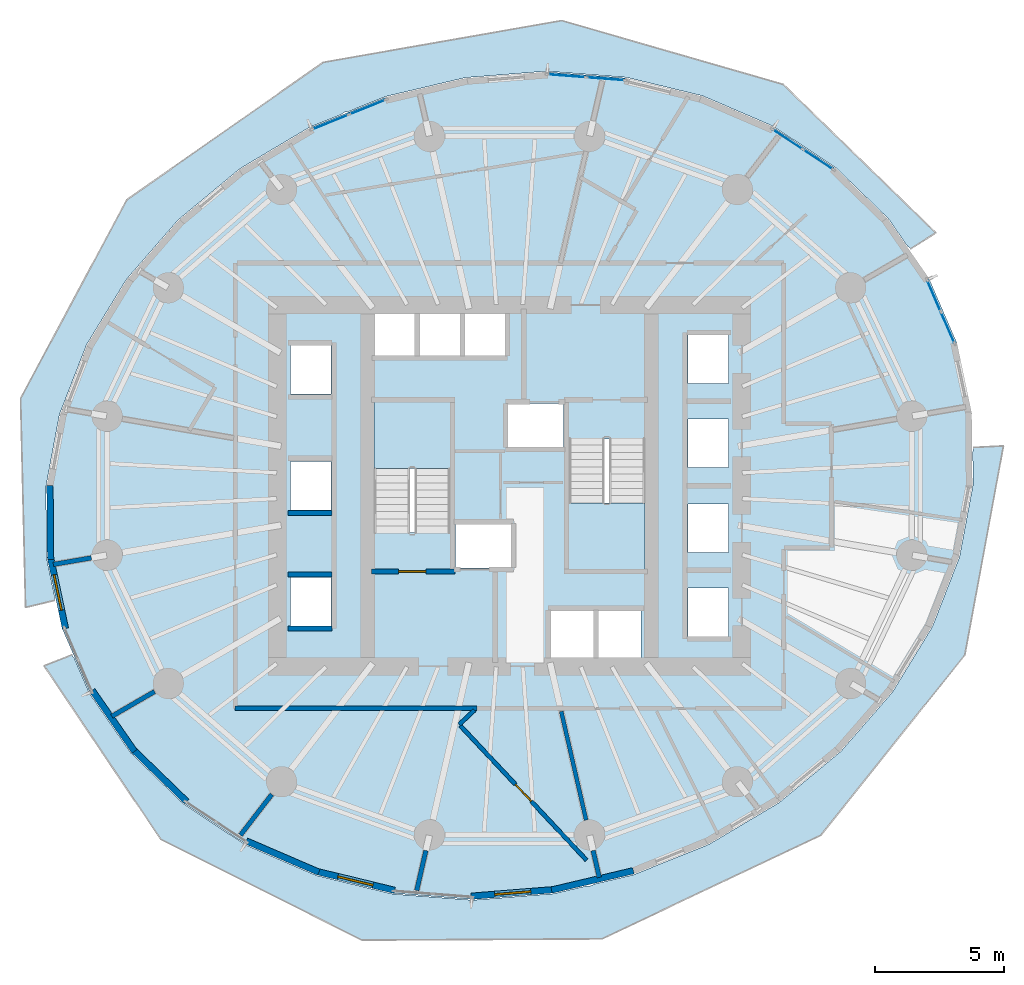
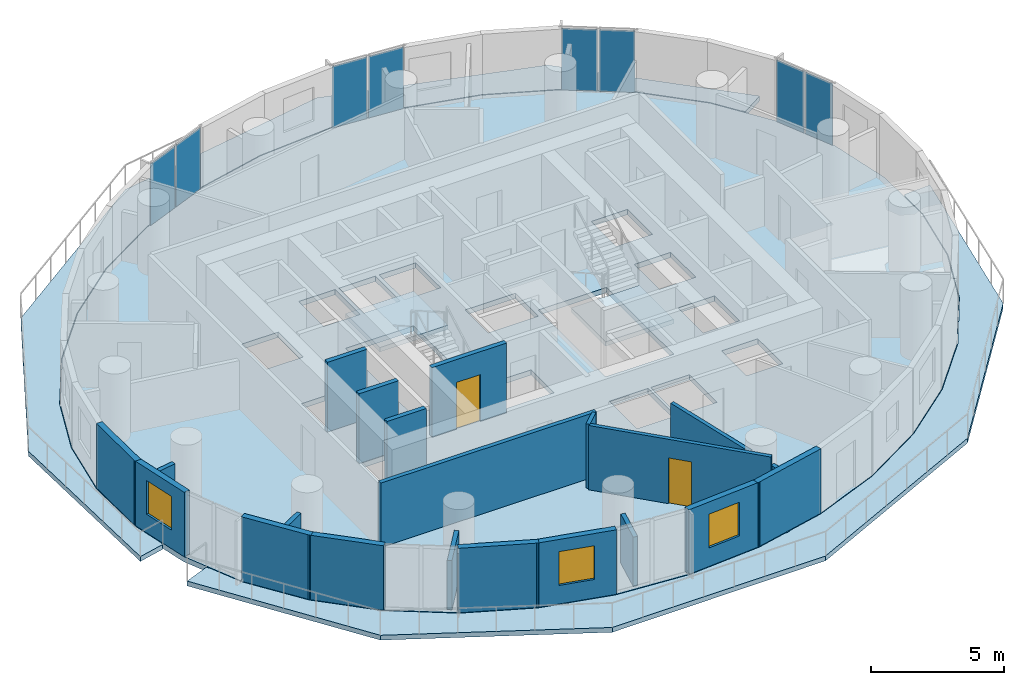
# One storey, part 6 of 14: 21 walls, 8 plates, 5 slabs, 3 windows, 2 doors, 5 openings, 6 elements without a shape of their own.
"""IFC4 building model written with IfcOpenShell, lengths in metres."""

from ifc_helpers import new_model, si_unit, direction, frame, frame_2d, origin, origin_2d, place, context, subcontext, project, spatial, polyline, rectangle, outline, extrude, material, layer, layer_set, type_object, element, fill, aggregate, save


model = new_model("IFC4")

# Units and contexts
model_context = context("Model", 3, precision=1e-05, world=origin(), true_north=direction((0.0, 1.0)))
body_context = subcontext(model_context, "Body", "Model", "MODEL_VIEW")
ifc_project = project(units=[si_unit("LENGTHUNIT", "METRE"), si_unit("AREAUNIT", "SQUARE_METRE"), si_unit("VOLUMEUNIT", "CUBIC_METRE"), si_unit("PLANEANGLEUNIT", "RADIAN"), si_unit("MASSUNIT", "GRAM", prefix="KILO")], contexts=[model_context])

# Site, building, storey
site_placement = place(None, origin())
site = spatial("IfcSite", under=ifc_project, at=site_placement, CompositionType="ELEMENT")
building_placement = place(site_placement, origin())
building = spatial("IfcBuilding", under=site, at=building_placement, Name="Veldorim Arch Residences", CompositionType="ELEMENT")
storey_placement = place(building_placement, frame((0.0, 0.0, 80.47998046875)))
storey = spatial("IfcBuildingStorey", under=building, at=storey_placement, Name="L23", CompositionType="ELEMENT", Elevation=80.47998046875)

# Slabs
ifc_material_1 = material(Name="Concrete C40/50", Category="concrete")
ifc_layer_1 = layer(ifc_material_1, 0.219970703125, Name="Planted Crescent Cantilever Balcony Slab 220")
ifc_layer_set_1 = layer_set([ifc_layer_1], Name="Concrete C40/50")
slab_type_1 = type_object("IfcSlabType", Name="Planted Crescent Cantilever Balcony Slab 220", PredefinedType="FLOOR", material=ifc_layer_set_1)
slab_1_placement = place(storey_placement, frame((0.0, 0.0, -0.219970703125)))
element("IfcSlab", 1, at=slab_1_placement, inside=storey, type_object=slab_type_1, Name="L23 planted crescent balcony slab A", PredefinedType="FLOOR", context=body_context, shape_type="SweptSolid", body=[
    extrude(outline(polyline([(47.413818359375, 33.292236328125), (46.6796875, 34.348876953125), (44.642333984375, 36.324462890625), (42.220703125, 37.925537109375), (39.489013671875, 39.103271484375), (36.529541015625, 39.822265625), (33.432861328125, 40.060302734375), (30.292724609375, 39.810791015625), (27.204345703125, 39.0810546875), (25.777099609375, 38.5048828125), (25.603271484375, 38.47216796875), (25.46630859375, 38.37939453125), (24.261962890625, 37.89306640625), (21.55419921875, 36.283203125), (19.163818359375, 34.300048828125), (17.163330078125, 32.004150390625), (15.61328125, 29.464599609375), (14.561279296875, 26.759033203125), (14.039306640625, 23.969482421875), (14.06298828125, 21.180419921875), (14.369384765625, 19.72412109375), (14.36279296875, 19.554443359375), (13.2451171875, 19.28369140625), (13.0537109375, 27.373046875), (17.167236328125, 35.07666015625), (24.781494140625, 40.40478515625), (34.025634765625, 42.0234375), (42.614013671875, 39.547119140625), (48.51513671875, 33.797119140625), (47.544677734375, 33.18017578125), (47.413818359375, 33.292236328125)])), origin(), (0.0, 0.0, 1.0), 0.219970703125),
])
slab_2_placement = place(storey_placement, frame((0.0, 0.0, -0.219970703125)))
element("IfcSlab", 2, at=slab_2_placement, inside=storey, type_object=slab_type_1, Name="L23 planted crescent balcony slab B", PredefinedType="FLOOR", context=body_context, shape_type="SweptSolid", body=[
    extrude(outline(polyline([(15.137939453125, 17.307373046875), (15.728759765625, 15.941650390625), (17.3203125, 13.651123046875), (19.357666015625, 11.675537109375), (21.779296875, 10.074462890625), (24.510986328125, 8.896728515625), (27.470458984375, 8.177734375), (30.567138671875, 7.939697265625), (33.707275390625, 8.189208984375), (34.971435546875, 8.488037109375), (35.13671875, 8.4912109375), (35.297607421875, 8.56494140625), (36.795654296875, 8.9189453125), (39.738037109375, 10.10693359375), (42.44580078125, 11.716796875), (44.836181640625, 13.699951171875), (46.836669921875, 15.995849609375), (48.38671875, 18.535400390625), (49.438720703125, 21.240966796875), (49.960693359375, 24.030517578125), (49.949951171875, 25.316650390625), (49.991943359375, 25.48388671875), (51.140380859375, 25.540771484375), (49.64404296875, 17.438720703125), (44.0634765625, 10.456787109375), (35.582275390625, 6.43896484375), (26.2890625, 6.390869140625), (18.4814453125, 10.303466796875), (13.965576171875, 17.017578125), (15.0341796875, 17.442138671875), (15.137939453125, 17.307373046875)])), origin(), (0.0, 0.0, 1.0), 0.219970703125),
])

# Stair, slab
ifc_material_2 = material(Name="Concrete C40/50", Category="concrete")
stair_type = type_object("IfcStairType", Name="Reinforced Concrete Dogleg Exit Staircase", PredefinedType="HALF_TURN_STAIR", material=ifc_material_2)
stair_1_placement = place(storey_placement, origin())
stair_1 = element("IfcStair", 3, at=stair_1_placement, inside=storey, type_object=stair_type, Name="L23 Exit Staircase ST-1", PredefinedType="HALF_TURN_STAIR")
ifc_material_3 = material(Name="Concrete C40/50", Category="concrete")
ifc_layer_2 = layer(ifc_material_3, 0.199951171875, Name="Reinforced Concrete Stair Landing 200")
ifc_layer_set_2 = layer_set([ifc_layer_2], Name="Concrete C40/50")
slab_type_2 = type_object("IfcSlabType", Name="Reinforced Concrete Stair Landing 200", PredefinedType="LANDING", material=ifc_layer_set_2)
slab_3_placement = place(storey_placement, frame((0.0, 0.0, 1.39990234375)))
slab_3 = element("IfcSlab", 4, at=slab_3_placement, type_object=slab_type_2, Name="ST-1 landing 1", PredefinedType="LANDING", context=body_context, shape_type="SweptSolid", body=[
    extrude(outline(polyline([(29.7099609375, 24.669921875), (29.7099609375, 27.25), (26.75, 27.25), (26.75, 24.669921875), (29.7099609375, 24.669921875)])), origin(), (0.0, 0.0, 1.0), 0.2001953125),
])
aggregate(stair_1, [slab_3])

stair_2_placement = place(storey_placement, origin())
stair_2 = element("IfcStair", 5, at=stair_2_placement, inside=storey, type_object=stair_type, Name="L23 Exit Staircase ST-2", PredefinedType="HALF_TURN_STAIR")
slab_4_placement = place(storey_placement, frame((0.0, 0.0, 1.39990234375)))
slab_4 = element("IfcSlab", 6, at=slab_4_placement, type_object=slab_type_2, Name="ST-2 landing 1", PredefinedType="LANDING", context=body_context, shape_type="SweptSolid", body=[
    extrude(outline(polyline([(34.2900390625, 23.330078125), (34.2900390625, 20.75), (37.25, 20.75), (37.25, 23.330078125), (34.2900390625, 23.330078125)])), origin(), (0.0, 0.0, 1.0), 0.2001953125),
])
aggregate(stair_2, [slab_4])

# Slab
ifc_material_4 = material(Name="Concrete C40/50", Category="concrete")
ifc_layer_3 = layer(ifc_material_4, 0.239990234375, Name="Typical Residential Floor Slab 240")
ifc_layer_set_3 = layer_set([ifc_layer_3], Name="Concrete C40/50")
slab_type_3 = type_object("IfcSlabType", Name="Typical Residential Floor Slab 240", PredefinedType="FLOOR", material=ifc_layer_set_3)
slab_5_placement = place(storey_placement, frame((0.0, 0.0, -0.239990234375)))
element("IfcSlab", 7, at=slab_5_placement, inside=storey, type_object=slab_type_3, Name="L23 tower structural floor slab", PredefinedType="FLOOR", context=body_context, shape_type="SweptSolid", body=[
    extrude(outline(polyline([(49.34423828125, 29.51513671875), (48.249267578125, 32.046142578125), (46.66064453125, 34.33251953125), (44.626708984375, 36.304931640625), (42.208740234375, 37.9033203125), (39.48095703125, 39.07958984375), (36.525634765625, 39.79736328125), (33.432861328125, 40.035400390625), (30.296630859375, 39.785888671875), (27.2119140625, 39.05712890625), (24.27294921875, 37.87060546875), (21.568603515625, 36.2626953125), (19.181396484375, 34.2822265625), (17.18359375, 31.9892578125), (15.635986328125, 29.45361328125), (14.58544921875, 26.752197265625), (14.064208984375, 23.96728515625), (14.087890625, 21.18310546875), (14.65576171875, 18.48486328125), (15.750732421875, 15.953857421875), (17.33935546875, 13.66748046875), (19.373291015625, 11.695068359375), (21.791259765625, 10.0966796875), (24.51904296875, 8.92041015625), (27.474365234375, 8.20263671875), (30.567138671875, 7.964599609375), (33.703369140625, 8.214111328125), (36.7880859375, 8.94287109375), (39.72705078125, 10.12939453125), (42.431396484375, 11.7373046875), (44.818603515625, 13.7177734375), (46.81640625, 16.0107421875), (48.364013671875, 18.54638671875), (49.41455078125, 21.247802734375), (49.935791015625, 24.03271484375), (49.912109375, 26.81689453125), (49.34423828125, 29.51513671875)]), holes=[polyline([(23.510009765625, 20.43994140625), (25.090087890625, 20.43994140625), (25.090087890625, 18.56005859375), (23.510009765625, 18.56005859375), (23.510009765625, 20.43994140625)]), polyline([(29.909912109375, 22.544921875), (32.090087890625, 22.544921875), (32.090087890625, 20.81494140625), (29.909912109375, 20.81494140625), (29.909912109375, 22.544921875)]), polyline([(23.510009765625, 24.93994140625), (25.090087890625, 24.93994140625), (25.090087890625, 23.06005859375), (23.510009765625, 23.06005859375), (23.510009765625, 24.93994140625)]), polyline([(26.75, 27.25), (29.7099609375, 27.25), (29.7099609375, 22.195068359375), (26.75, 22.195068359375), (26.75, 27.25)]), polyline([(23.510009765625, 29.43994140625), (25.090087890625, 29.43994140625), (25.090087890625, 27.56005859375), (23.510009765625, 27.56005859375), (23.510009765625, 29.43994140625)]), polyline([(26.760009765625, 30.7900390625), (28.340087890625, 30.7900390625), (28.340087890625, 28.909912109375), (26.760009765625, 28.909912109375), (26.760009765625, 30.7900390625)]), polyline([(28.510009765625, 30.7900390625), (30.090087890625, 30.7900390625), (30.090087890625, 28.909912109375), (28.510009765625, 28.909912109375), (28.510009765625, 30.7900390625)]), polyline([(30.260009765625, 30.7900390625), (31.840087890625, 30.7900390625), (31.840087890625, 28.909912109375), (30.260009765625, 28.909912109375), (30.260009765625, 30.7900390625)]), polyline([(33.610107421875, 19.2900390625), (35.2900390625, 19.2900390625), (35.2900390625, 17.2099609375), (33.610107421875, 17.2099609375), (33.610107421875, 19.2900390625)]), polyline([(35.409912109375, 19.2900390625), (37.090087890625, 19.2900390625), (37.090087890625, 17.2099609375), (35.409912109375, 17.2099609375), (35.409912109375, 19.2900390625)]), polyline([(38.909912109375, 20.0400390625), (40.489990234375, 20.0400390625), (40.489990234375, 18.159912109375), (38.909912109375, 18.159912109375), (38.909912109375, 20.0400390625)]), polyline([(38.909912109375, 23.2900390625), (40.489990234375, 23.2900390625), (40.489990234375, 21.409912109375), (38.909912109375, 21.409912109375), (38.909912109375, 23.2900390625)]), polyline([(34.2900390625, 25.804931640625), (37.25, 25.804931640625), (37.25, 20.75), (34.2900390625, 20.75), (34.2900390625, 25.804931640625)]), polyline([(38.909912109375, 26.590087890625), (40.489990234375, 26.590087890625), (40.489990234375, 24.7099609375), (38.909912109375, 24.7099609375), (38.909912109375, 26.590087890625)]), polyline([(31.909912109375, 27.18505859375), (34.090087890625, 27.18505859375), (34.090087890625, 25.455078125), (31.909912109375, 25.455078125), (31.909912109375, 27.18505859375)]), polyline([(38.909912109375, 29.840087890625), (40.489990234375, 29.840087890625), (40.489990234375, 27.9599609375), (38.909912109375, 27.9599609375), (38.909912109375, 29.840087890625)])]), origin(), (0.0, 0.0, 1.0), 0.239990234375),
])

# Curtain wall, plates
ifc_material_5 = material(Name="Aluminium", Category="aluminium")
curtain_wall_type = type_object("IfcCurtainWallType", Name="Zone 2 Solar-Control Unitised Curtain Wall", PredefinedType="NOTDEFINED", material=ifc_material_5)
curtain_wall_1_placement = place(storey_placement, origin())
curtain_wall_1 = element("IfcCurtainWall", 8, at=curtain_wall_1_placement, inside=storey, type_object=curtain_wall_type, Name="L23 unitised curtain wall bay 01", PredefinedType="NOTDEFINED")
ifc_material_6 = material(Name="Laminated Low-E Glass", Category="glass")
ifc_layer_4 = layer(ifc_material_6, 0.02587890625, Name="Zone 2 Solar-Control Unitised Curtain Wall Glazing Panel 26")
ifc_layer_set_4 = layer_set([ifc_layer_4], Name="Laminated Low-E Glass")
plate_type = type_object("IfcPlateType", Name="Zone 2 Solar-Control Unitised Curtain Wall Glazing Panel 26", PredefinedType="CURTAIN_PANEL", material=ifc_layer_set_4)
plate_1_placement = place(storey_placement, frame((48.44677734375, 31.36279296875, 0.06494140625), z_axis=(0.0, 0.0, 1.0), x_axis=(0.397050688615, -0.917796682643, 0.0)))
plate_1 = element("IfcPlate", 9, at=plate_1_placement, type_object=plate_type, Name="CW-Z2 panel 1.1", PredefinedType="CURTAIN_PANEL", context=body_context, shape_type="SweptSolid", body=[
    extrude(rectangle(XDim=1.28125, YDim=0.02587890625, at=origin_2d()), origin(), (0.0, 0.0, 1.0), 2.830078125),
])
plate_2_placement = place(storey_placement, frame((48.9814453125, 30.127197265625, 0.06494140625), z_axis=(0.0, 0.0, 1.0), x_axis=(0.397050688615, -0.917796682643, 0.0)))
plate_2 = element("IfcPlate", 10, at=plate_2_placement, type_object=plate_type, Name="CW-Z2 panel 2.1", PredefinedType="CURTAIN_PANEL", context=body_context, shape_type="SweptSolid", body=[
    extrude(rectangle(XDim=1.28125, YDim=0.02587890625, at=origin_2d()), origin(), (0.0, 0.0, 1.0), 2.830078125),
])
aggregate(curtain_wall_1, [plate_1, plate_2])

curtain_wall_2_placement = place(storey_placement, origin())
curtain_wall_2 = element("IfcCurtainWall", 11, at=curtain_wall_2_placement, inside=storey, type_object=curtain_wall_type, Name="L23 unitised curtain wall bay 04", PredefinedType="NOTDEFINED")
plate_3_placement = place(storey_placement, frame((42.777099609375, 37.419677734375, 0.06494140625), z_axis=(0.0, 0.0, 1.0), x_axis=(0.834172634224, -0.551503414596, 0.0)))
plate_3 = element("IfcPlate", 12, at=plate_3_placement, type_object=plate_type, Name="CW-Z2 panel 1.1", PredefinedType="CURTAIN_PANEL", context=body_context, shape_type="SweptSolid", body=[
    extrude(rectangle(XDim=1.351806640625, YDim=0.02587890625, at=origin_2d()), origin(), (0.0, 0.0, 1.0), 2.830078125),
])
plate_4_placement = place(storey_placement, frame((43.958984375, 36.638427734375, 0.06494140625), z_axis=(0.0, 0.0, 1.0), x_axis=(0.834172634224, -0.551503414596, 0.0)))
plate_4 = element("IfcPlate", 13, at=plate_4_placement, type_object=plate_type, Name="CW-Z2 panel 2.1", PredefinedType="CURTAIN_PANEL", context=body_context, shape_type="SweptSolid", body=[
    extrude(rectangle(XDim=1.351806640625, YDim=0.02587890625, at=origin_2d()), origin(), (0.0, 0.0, 1.0), 2.830078125),
])
aggregate(curtain_wall_2, [plate_3, plate_4])

curtain_wall_3_placement = place(storey_placement, origin())
curtain_wall_3 = element("IfcCurtainWall", 14, at=curtain_wall_3_placement, inside=storey, type_object=curtain_wall_type, Name="L23 unitised curtain wall bay 07", PredefinedType="NOTDEFINED")
plate_5_placement = place(storey_placement, frame((34.21533203125, 39.884765625, 0.06494140625), z_axis=(0.0, 0.0, 1.0), x_axis=(0.997054485502, -0.076696498885, 0.0)))
plate_5 = element("IfcPlate", 15, at=plate_5_placement, type_object=plate_type, Name="CW-Z2 panel 1.1", PredefinedType="CURTAIN_PANEL", context=body_context, shape_type="SweptSolid", body=[
    extrude(rectangle(XDim=1.453369140625, YDim=0.02587890625, at=origin_2d()), origin(), (0.0, 0.0, 1.0), 2.830078125),
])
plate_6_placement = place(storey_placement, frame((35.729248046875, 39.768310546875, 0.06494140625), z_axis=(0.0, 0.0, 1.0), x_axis=(0.997054485502, -0.076696498885, 0.0)))
plate_6 = element("IfcPlate", 16, at=plate_6_placement, type_object=plate_type, Name="CW-Z2 panel 2.1", PredefinedType="CURTAIN_PANEL", context=body_context, shape_type="SweptSolid", body=[
    extrude(rectangle(XDim=1.453369140625, YDim=0.02587890625, at=origin_2d()), origin(), (0.0, 0.0, 1.0), 2.830078125),
])
aggregate(curtain_wall_3, [plate_5, plate_6])

curtain_wall_4_placement = place(storey_placement, origin())
curtain_wall_4 = element("IfcCurtainWall", 17, at=curtain_wall_4_placement, inside=storey, type_object=curtain_wall_type, Name="L23 unitised curtain wall bay 10", PredefinedType="NOTDEFINED")
plate_7_placement = place(storey_placement, frame((25.056396484375, 38.08984375, 0.06494140625), z_axis=(0.0, 0.0, 1.0), x_axis=(0.927286072366, 0.374353496038, 0.0)))
plate_7 = element("IfcPlate", 18, at=plate_7_placement, type_object=plate_type, Name="CW-Z2 panel 1.1", PredefinedType="CURTAIN_PANEL", context=body_context, shape_type="SweptSolid", body=[
    extrude(rectangle(XDim=1.4873046875, YDim=0.02587890625, at=origin_2d()), origin(), (0.0, 0.0, 1.0), 2.830078125),
])
plate_8_placement = place(storey_placement, frame((26.495849609375, 38.6708984375, 0.06494140625), z_axis=(0.0, 0.0, 1.0), x_axis=(0.927286072366, 0.374353496038, 0.0)))
plate_8 = element("IfcPlate", 19, at=plate_8_placement, type_object=plate_type, Name="CW-Z2 panel 2.1", PredefinedType="CURTAIN_PANEL", context=body_context, shape_type="SweptSolid", body=[
    extrude(rectangle(XDim=1.4873046875, YDim=0.02587890625, at=origin_2d()), origin(), (0.0, 0.0, 1.0), 2.830078125),
])
aggregate(curtain_wall_4, [plate_7, plate_8])

# Walls
ifc_material_7 = material(Name="Lightweight Masonry Block & Gypsum", Category="masonry")
ifc_layer_5 = layer(ifc_material_7, 0.179931640625, Name="Compartment & Corridor Fire-Rated Party Wall 180")
ifc_layer_set_5 = layer_set([ifc_layer_5], Name="Lightweight Masonry Block & Gypsum")
wall_type_1 = type_object("IfcWallType", Name="Compartment & Corridor Fire-Rated Party Wall 180", PredefinedType="PARTITIONING", material=ifc_layer_set_5)
wall_1_placement = place(storey_placement, frame((15.79443359375, 21.202392578125, 0.0), z_axis=(0.0, 0.0, 1.0), x_axis=(-0.985414821555, -0.170169413997, 0.0)))
element("IfcWall", 20, at=wall_1_placement, inside=storey, type_object=wall_type_1, Name="L23 interior wall WL-PIER-L23-09", PredefinedType="PARTITIONING", context=body_context, shape_type="SweptSolid", body=[
    extrude(rectangle(XDim=1.494873046875, YDim=0.179931640625, at=frame_2d((0.74755859375, 0.0))), origin(), (0.0, 0.0, 1.0), 2.260498046875),
])
wall_2_placement = place(storey_placement, frame((18.243408203125, 16.022216796875, 0.0), z_axis=(0.0, 0.0, 1.0), x_axis=(-0.86503562166, -0.501710447628, 0.0)))
element("IfcWall", 21, at=wall_2_placement, inside=storey, type_object=wall_type_1, Name="L23 interior wall WL-PIER-L23-10", PredefinedType="PARTITIONING", context=body_context, shape_type="SweptSolid", body=[
    extrude(rectangle(XDim=1.912353515625, YDim=0.179931640625, at=frame_2d((0.9560546875, 0.0))), origin(), (0.0, 0.0, 1.0), 2.260498046875),
])
wall_3_placement = place(storey_placement, frame((22.7880859375, 12.034423828125, 0.0), z_axis=(0.0, 0.0, 1.0), x_axis=(-0.609995088008, -0.792405194712, 0.0)))
element("IfcWall", 22, at=wall_3_placement, inside=storey, type_object=wall_type_1, Name="L23 interior wall WL-PIER-L23-11", PredefinedType="PARTITIONING", context=body_context, shape_type="SweptSolid", body=[
    extrude(rectangle(XDim=1.991455078125, YDim=0.179931640625, at=frame_2d((0.99560546875, 0.0))), origin(), (0.0, 0.0, 1.0), 2.260498046875),
])
wall_4_placement = place(storey_placement, frame((28.759521484375, 9.86083984375, 0.0), z_axis=(0.0, 0.0, 1.0), x_axis=(-0.223333591652, -0.974742071955, 0.0)))
element("IfcWall", 23, at=wall_4_placement, inside=storey, type_object=wall_type_1, Name="L23 interior wall WL-PIER-L23-12", PredefinedType="PARTITIONING", context=body_context, shape_type="SweptSolid", body=[
    extrude(rectangle(XDim=1.58935546875, YDim=0.179931640625, at=frame_2d((0.794677734375, 0.0))), origin(), (0.0, 0.0, 1.0), 2.260498046875),
])
wall_5_placement = place(storey_placement, frame((35.240478515625, 9.86083984375, 0.0), z_axis=(0.0, 0.0, 1.0), x_axis=(0.223308362472, -0.974747852139, 0.0)))
element("IfcWall", 24, at=wall_5_placement, inside=storey, type_object=wall_type_1, Name="L23 interior wall WL-PIER-L23-13", PredefinedType="PARTITIONING", context=body_context, shape_type="SweptSolid", body=[
    extrude(rectangle(XDim=1.0693359375, YDim=0.179931640625, at=frame_2d((0.53466796875, 0.0))), origin(), (0.0, 0.0, 1.0), 2.260498046875),
])
wall_6_placement = place(storey_placement, frame((30.7373046875, 15.3701171875, 0.0), z_axis=(0.0, 0.0, 1.0), x_axis=(-1.0, 0.0, 0.0)))
element("IfcWall", 25, at=wall_6_placement, inside=storey, type_object=wall_type_1, Name="L23 interior wall WL-RES-L23-010", PredefinedType="PARTITIONING", context=body_context, shape_type="SweptSolid", body=[
    extrude(rectangle(XDim=9.3671875, YDim=0.179931640625, at=frame_2d((4.68359375, 0.0))), origin(), (0.0, 0.0, 1.0), 2.955078125),
])

# Wall, opening, door
ifc_material_8 = material(Name="Concrete C50/60", Category="concrete")
ifc_layer_6 = layer(ifc_material_8, 0.199951171875, Name="Core Stair & Lift Shaft Enclosure Wall 200")
ifc_layer_set_6 = layer_set([ifc_layer_6], Name="Concrete C50/60")
wall_type_2 = type_object("IfcWallType", Name="Core Stair & Lift Shaft Enclosure Wall 200", PredefinedType="SHEAR", material=ifc_layer_set_6)
wall_7_placement = place(storey_placement, frame((26.64990234375, 20.669921875, 0.0), z_axis=(0.0, 0.0, 1.0), x_axis=(1.0, 0.0, 0.0)))
wall_7 = element("IfcWall", 26, at=wall_7_placement, inside=storey, type_object=wall_type_2, Name="L23 shaft wall WL-SHF-L23-ST1-S", PredefinedType="SHEAR", context=body_context, shape_type="SweptSolid", body=[
    extrude(rectangle(XDim=3.239990234375, YDim=0.199951171875, at=frame_2d((1.6201171875, 0.0))), origin(), (0.0, 0.0, 1.0), 3.199951171875),
])
opening_1_placement = place(wall_7_placement, frame((1.054931640625, 0.0, 0.0)))
opening_1 = element("IfcOpeningElement", 27, at=opening_1_placement, cuts=wall_7, Name="Opening DR-ST", PredefinedType="OPENING", context=body_context, shape_type="SweptSolid", body=[
    extrude(rectangle(XDim=1.050048828125, YDim=2.14990234375, at=frame_2d((0.52490234375, 1.074951171875))), frame((0.0, 0.10986328125, 0.0), z_axis=(0.0, -1.0, 0.0), x_axis=(1.0, 0.0, 0.0)), (0.0, 0.0, 1.0), 0.219970703125),
])
ifc_material_9 = material(Name="Fire-Rated Steel", Category="steel")
door_type_1 = type_object("IfcDoorType", Name="Exit Staircase Self-Closing Fire Door 1050x2150", OperationType="SINGLE_SWING_LEFT", PredefinedType="DOOR", material=ifc_material_9)
door_1_placement = place(opening_1_placement, origin())
door_1 = element("IfcDoor", 28, at=door_1_placement, inside=storey, type_object=door_type_1, Name="L23 interior door DR-L23-ST1", OperationType="SINGLE_SWING_LEFT", OverallHeight=2.14990234375, OverallWidth=1.050048828125, PredefinedType="DOOR", context=body_context, shape_type="SweptSolid", body=[
    extrude(rectangle(XDim=1.050048828125, YDim=2.14990234375, at=frame_2d((0.52490234375, 1.074951171875))), frame((0.0, 0.02490234375, 0.0), z_axis=(0.0, -1.0, 0.0), x_axis=(1.0, 0.0, 0.0)), (0.0, 0.0, 1.0), 0.050048828125),
])
fill(opening_1, door_1)

# Walls
for number, where, z_axis, x_axis, name in (
    (29, (23.419921875, 18.4599609375, 0.0), (0.0, 0.0, 1.0), (1.0, 0.0, 0.0), "L23 shaft wall WL-B2-L23-S"),
    (30, (23.419921875, 20.56005859375, 0.0), (0.0, 0.0, 1.0), (1.0, 0.0, 0.0), "L23 shaft wall WL-B2-L23-D1A"),
    (31, (23.419921875, 22.93994140625, 0.0), (0.0, 0.0, 1.0), (1.0, 0.0, 0.0), "L23 shaft wall WL-B2-L23-D1B"),
):
    element("IfcWall", number, at=place(storey_placement, frame(where, z_axis=z_axis, x_axis=x_axis)), inside=storey, type_object=wall_type_2, Name=name, PredefinedType="SHEAR", context=body_context, shape_type="SweptSolid", body=[
        extrude(rectangle(XDim=1.7099609375, YDim=0.199951171875, at=frame_2d((0.85498046875, 0.0))), origin(), (0.0, 0.0, 1.0), 3.199951171875),
    ])
ifc_material_10 = material(Name="Precast concrete C40/50", Category="concrete")
ifc_layer_7 = layer(ifc_material_10, 0.25, Name="Tower Terracotta Spandrel & Pier Wall 250")
ifc_layer_set_7 = layer_set([ifc_layer_7], Name="Precast concrete C40/50")
wall_type_3 = type_object("IfcWallType", Name="Tower Terracotta Spandrel & Pier Wall 250", PredefinedType="SOLIDWALL", material=ifc_layer_set_7)
wall_8_placement = place(storey_placement, frame((14.21337890625, 21.139404296875, 0.0), z_axis=(0.0, 0.0, 1.0), x_axis=(-0.008580093639, 0.999963190319, 0.0)))
element("IfcWall", 32, at=wall_8_placement, inside=storey, type_object=wall_type_3, Name="L23 terracotta facade wall 17", PredefinedType="SOLIDWALL", context=body_context, shape_type="SweptSolid", body=[
    extrude(rectangle(XDim=2.873779296875, YDim=0.25, at=frame_2d((1.43701171875, 0.0))), origin(), (0.0, 0.0, 1.0), 2.9599609375),
])

# Wall, opening, window
wall_9_placement = place(storey_placement, frame((14.787353515625, 18.466552734375, 0.0), z_axis=(0.0, 0.0, 1.0), x_axis=(-0.205949984324, 0.978562519187, 0.0)))
wall_9 = element("IfcWall", 33, at=wall_9_placement, inside=storey, type_object=wall_type_3, Name="L23 terracotta facade wall 18", PredefinedType="SOLIDWALL", context=body_context, shape_type="SweptSolid", body=[
    extrude(rectangle(XDim=2.847412109375, YDim=0.25, at=frame_2d((1.423828125, 0.0))), origin(), (0.0, 0.0, 1.0), 2.9599609375),
])
opening_2_placement = place(wall_9_placement, frame((0.72412109375, 0.0, 0.85009765625)))
opening_2 = element("IfcOpeningElement", 34, at=opening_2_placement, cuts=wall_9, Name="Opening WN-02", PredefinedType="OPENING", context=body_context, shape_type="SweptSolid", body=[
    extrude(rectangle(XDim=1.39990234375, YDim=1.550048828125, at=frame_2d((0.699951171875, 0.77490234375))), frame((0.0, 0.135009765625, 0.0), z_axis=(0.0, -1.0, 0.0), x_axis=(1.0, 0.0, 0.0)), (0.0, 0.0, 1.0), 0.27001953125),
])
ifc_material_11 = material(Name="Laminated Low-E Glass", Category="glass")
window_type = type_object("IfcWindowType", Name="Residential Casement Window 1400x1550", PartitioningType="SINGLE_PANEL", PredefinedType="WINDOW", material=ifc_material_11)
window_1_placement = place(opening_2_placement, origin())
window_1 = element("IfcWindow", 35, at=window_1_placement, inside=storey, type_object=window_type, Name="L23 solar-control facade window 18", OverallHeight=1.550048828125, OverallWidth=1.39990234375, PartitioningType="SINGLE_PANEL", PredefinedType="WINDOW", context=body_context, shape_type="SweptSolid", body=[
    extrude(rectangle(XDim=1.39990234375, YDim=1.550048828125, at=frame_2d((0.699951171875, 0.77490234375))), frame((0.0, 0.030029296875, 0.0), z_axis=(0.0, -1.0, 0.0), x_axis=(1.0, 0.0, 0.0)), (0.0, 0.0, 1.0), 0.06005859375),
])
fill(opening_2, window_1)

# Walls
wall_10_placement = place(storey_placement, frame((17.467529296875, 13.701904296875, 0.0), z_axis=(0.0, 0.0, 1.0), x_axis=(-0.570574087236, 0.821246133005, 0.0)))
element("IfcWall", 36, at=wall_10_placement, inside=storey, type_object=wall_type_3, Name="L23 terracotta facade wall 20", PredefinedType="SOLIDWALL", context=body_context, shape_type="SweptSolid", body=[
    extrude(rectangle(XDim=2.8740234375, YDim=0.25, at=frame_2d((1.43701171875, 0.0))), origin(), (0.0, 0.0, 1.0), 2.9599609375),
])
wall_11_placement = place(storey_placement, frame((19.49267578125, 11.75341796875, 0.0), z_axis=(0.0, 0.0, 1.0), x_axis=(-0.717880157086, 0.696166704219, 0.0)))
element("IfcWall", 37, at=wall_11_placement, inside=storey, type_object=wall_type_3, Name="L23 terracotta facade wall 21", PredefinedType="SOLIDWALL", context=body_context, shape_type="SweptSolid", body=[
    extrude(rectangle(XDim=2.92333984375, YDim=0.25, at=frame_2d((1.461669921875, 0.0))), origin(), (0.0, 0.0, 1.0), 2.9599609375),
])
wall_12_placement = place(storey_placement, frame((24.60986328125, 9.017578125, 0.0), z_axis=(0.0, 0.0, 1.0), x_axis=(-0.91829708806, 0.395891977766, 0.0)))
element("IfcWall", 38, at=wall_12_placement, inside=storey, type_object=wall_type_3, Name="L23 terracotta facade wall 23", PredefinedType="SOLIDWALL", context=body_context, shape_type="SweptSolid", body=[
    extrude(rectangle(XDim=3.060546875, YDim=0.25, at=frame_2d((1.5302734375, 0.0))), origin(), (0.0, 0.0, 1.0), 2.9599609375),
])

# Wall, opening, window
wall_13_placement = place(storey_placement, frame((27.547607421875, 8.3134765625, 0.0), z_axis=(0.0, 0.0, 1.0), x_axis=(-0.971748850292, 0.236017312833, 0.0)))
wall_13 = element("IfcWall", 39, at=wall_13_placement, inside=storey, type_object=wall_type_3, Name="L23 terracotta facade wall 24", PredefinedType="SOLIDWALL", context=body_context, shape_type="SweptSolid", body=[
    extrude(rectangle(XDim=3.131103515625, YDim=0.25, at=frame_2d((1.5654296875, 0.0))), origin(), (0.0, 0.0, 1.0), 2.9599609375),
])
opening_3_placement = place(wall_13_placement, frame((0.865966796875, 0.0, 0.85009765625)))
opening_3 = element("IfcOpeningElement", 40, at=opening_3_placement, cuts=wall_13, Name="Opening WN-02", PredefinedType="OPENING", context=body_context, shape_type="SweptSolid", body=[
    extrude(rectangle(XDim=1.39990234375, YDim=1.550048828125, at=frame_2d((0.699951171875, 0.77490234375))), frame((0.0, 0.135009765625, 0.0), z_axis=(0.0, -1.0, 0.0), x_axis=(1.0, 0.0, 0.0)), (0.0, 0.0, 1.0), 0.27001953125),
])
window_2_placement = place(opening_3_placement, origin())
window_2 = element("IfcWindow", 41, at=window_2_placement, inside=storey, type_object=window_type, Name="L23 solar-control facade window 24", OverallHeight=1.550048828125, OverallWidth=1.39990234375, PartitioningType="SINGLE_PANEL", PredefinedType="WINDOW", context=body_context, shape_type="SweptSolid", body=[
    extrude(rectangle(XDim=1.39990234375, YDim=1.550048828125, at=frame_2d((0.699951171875, 0.77490234375))), frame((0.0, 0.030029296875, 0.0), z_axis=(0.0, -1.0, 0.0), x_axis=(1.0, 0.0, 0.0)), (0.0, 0.0, 1.0), 0.06005859375),
])
fill(opening_3, window_2)

wall_14_placement = place(storey_placement, frame((33.73828125, 8.34228515625, 0.0), z_axis=(0.0, 0.0, 1.0), x_axis=(-0.996851873062, -0.079286462736, 0.0)))
wall_14 = element("IfcWall", 42, at=wall_14_placement, inside=storey, type_object=wall_type_3, Name="L23 terracotta facade wall 26", PredefinedType="SOLIDWALL", context=body_context, shape_type="SweptSolid", body=[
    extrude(rectangle(XDim=3.236328125, YDim=0.25, at=frame_2d((1.6181640625, 0.0))), origin(), (0.0, 0.0, 1.0), 2.9599609375),
])
opening_4_placement = place(wall_14_placement, frame((0.91796875, 0.0, 0.85009765625)))
opening_4 = element("IfcOpeningElement", 43, at=opening_4_placement, cuts=wall_14, Name="Opening WN-02", PredefinedType="OPENING", context=body_context, shape_type="SweptSolid", body=[
    extrude(rectangle(XDim=1.39990234375, YDim=1.550048828125, at=frame_2d((0.699951171875, 0.77490234375))), frame((0.0, 0.135009765625, 0.0), z_axis=(0.0, -1.0, 0.0), x_axis=(1.0, 0.0, 0.0)), (0.0, 0.0, 1.0), 0.27001953125),
])
window_3_placement = place(opening_4_placement, origin())
window_3 = element("IfcWindow", 44, at=window_3_placement, inside=storey, type_object=window_type, Name="L23 solar-control facade window 26", OverallHeight=1.550048828125, OverallWidth=1.39990234375, PartitioningType="SINGLE_PANEL", PredefinedType="WINDOW", context=body_context, shape_type="SweptSolid", body=[
    extrude(rectangle(XDim=1.39990234375, YDim=1.550048828125, at=frame_2d((0.699951171875, 0.77490234375))), frame((0.0, 0.030029296875, 0.0), z_axis=(0.0, -1.0, 0.0), x_axis=(1.0, 0.0, 0.0)), (0.0, 0.0, 1.0), 0.06005859375),
])
fill(opening_4, window_3)

# Walls
wall_15_placement = place(storey_placement, frame((36.802978515625, 9.074951171875, 0.0), z_axis=(0.0, 0.0, 1.0), x_axis=(-0.973185832187, -0.230020294824, 0.0)))
element("IfcWall", 45, at=wall_15_placement, inside=storey, type_object=wall_type_3, Name="L23 terracotta facade wall 27", PredefinedType="SOLIDWALL", context=body_context, shape_type="SweptSolid", body=[
    extrude(rectangle(XDim=3.259521484375, YDim=0.25, at=frame_2d((1.6298828125, 0.0))), origin(), (0.0, 0.0, 1.0), 2.9599609375),
])
ifc_material_12 = material(Name="Moisture-Resistant Gypsum & Stud", Category="gypsum")
ifc_layer_8 = layer(ifc_material_12, 0.159912109375, Name="Wet-Area Moisture-Resistant Plumbing Wall 160")
ifc_layer_set_8 = layer_set([ifc_layer_8], Name="Moisture-Resistant Gypsum & Stud")
wall_type_4 = type_object("IfcWallType", Name="Wet-Area Moisture-Resistant Plumbing Wall 160", PredefinedType="PLUMBINGWALL", material=ifc_layer_set_8)
wall_16_placement = place(storey_placement, frame((34.969970703125, 11.04052734375, 0.0), z_axis=(0.0, 0.0, 1.0), x_axis=(-0.223373919899, 0.974732831041, 0.0)))
element("IfcWall", 46, at=wall_16_placement, inside=storey, type_object=wall_type_4, Name="L23 interior wall WL-RES-L23-016", PredefinedType="PLUMBINGWALL", context=body_context, shape_type="SweptSolid", body=[
    extrude(rectangle(XDim=4.321533203125, YDim=0.159912109375, at=frame_2d((2.16064453125, 0.0))), origin(), (0.0, 0.0, 1.0), 2.260498046875),
])
wall_17_placement = place(storey_placement, frame((30.644287109375, 15.301513671875, 0.0), z_axis=(0.0, 0.0, 1.0), x_axis=(-0.729106643291, -0.684400104258, 0.0)))
element("IfcWall", 47, at=wall_17_placement, inside=storey, type_object=wall_type_4, Name="L23 interior wall WL-RES-L23-028", PredefinedType="PLUMBINGWALL", context=body_context, shape_type="SweptSolid", body=[
    extrude(rectangle(XDim=0.813720703125, YDim=0.159912109375, at=frame_2d((0.40673828125, 0.0))), origin(), (0.0, 0.0, 1.0), 2.955078125),
])

# Wall, opening, door
wall_18_placement = place(storey_placement, frame((30.092041015625, 14.700927734375, 0.0), z_axis=(0.0, 0.0, 1.0), x_axis=(0.684298573407, -0.729201935292, 0.0)))
wall_18 = element("IfcWall", 48, at=wall_18_placement, inside=storey, type_object=wall_type_4, Name="L23 interior wall WL-RES-L23-029", PredefinedType="PLUMBINGWALL", context=body_context, shape_type="SweptSolid", body=[
    extrude(rectangle(XDim=7.155029296875, YDim=0.159912109375, at=frame_2d((3.57763671875, 0.0))), origin(), (0.0, 0.0, 1.0), 2.955078125),
])
opening_5_placement = place(wall_18_placement, frame((3.127685546875, 0.0, 0.0)))
opening_5 = element("IfcOpeningElement", 49, at=opening_5_placement, cuts=wall_18, Name="Opening DR-WC", PredefinedType="OPENING", context=body_context, shape_type="SweptSolid", body=[
    extrude(rectangle(XDim=0.89990234375, YDim=2.10009765625, at=frame_2d((0.449951171875, 1.050048828125))), frame((0.0, 0.08984375, 0.0), z_axis=(0.0, -1.0, 0.0), x_axis=(1.0, 0.0, 0.0)), (0.0, 0.0, 1.0), 0.179931640625),
])
ifc_material_13 = material(Name="Laminate Timber", Category="wood")
door_type_2 = type_object("IfcDoorType", Name="Bathroom & Accessible WC Moisture-Sealed Door 900x2100", OperationType="SINGLE_SWING_LEFT", PredefinedType="DOOR", material=ifc_material_13)
door_2_placement = place(opening_5_placement, origin())
door_2 = element("IfcDoor", 50, at=door_2_placement, inside=storey, type_object=door_type_2, Name="L23 interior door DR-RES-L23-016", OperationType="SINGLE_SWING_RIGHT", OverallHeight=2.10009765625, OverallWidth=0.89990234375, PredefinedType="DOOR", context=body_context, shape_type="SweptSolid", body=[
    extrude(rectangle(XDim=0.89990234375, YDim=2.10009765625, at=frame_2d((0.449951171875, 1.050048828125))), frame((0.0, 0.02490234375, 0.0), z_axis=(0.0, -1.0, 0.0), x_axis=(1.0, 0.0, 0.0)), (0.0, 0.0, 1.0), 0.050048828125),
])
fill(opening_5, door_2)

save(model, "model.ifc")
